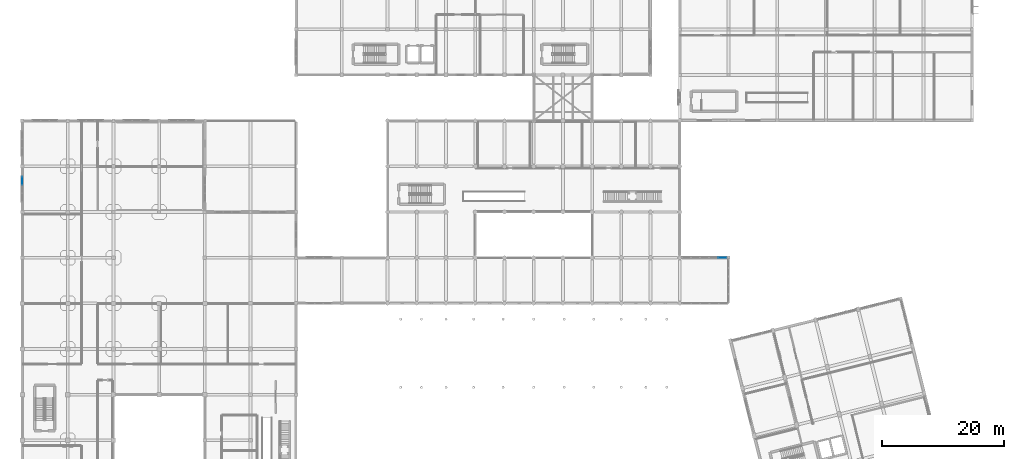
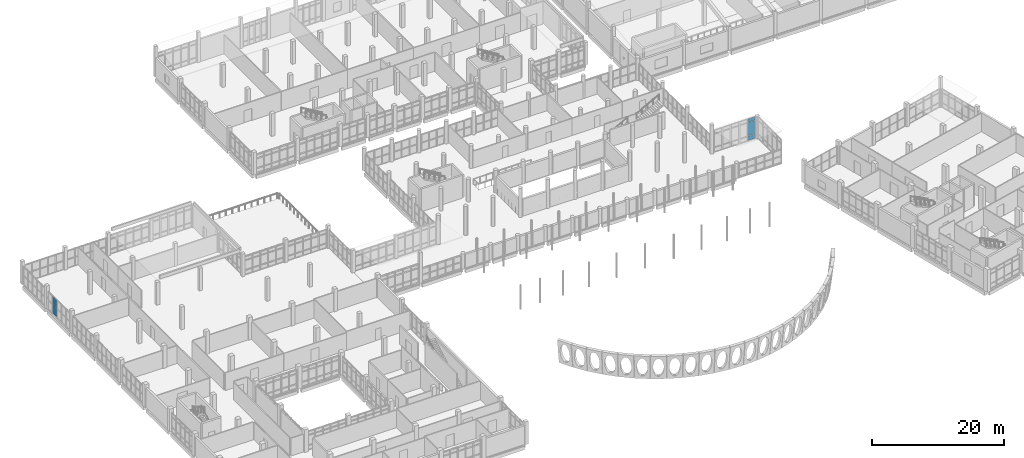
# One storey, part 128 of 164: 5 plates, 2 elements without a shape of their own.
"""IFC4 building model written with IfcOpenShell, lengths in metres."""

import ifcopenshell
import ifcopenshell.guid

model = None  # the IFC model being written
_history = None  # IfcOwnerHistory: only IFC2X3 demands one
_inside = {}  # id of a spatial element -> (the spatial element, [elements in it])
_under = {}  # id of a project, library or spatial element -> (it, [spatial elements below it])
_declared = {}  # id of a project -> (the project, [libraries it declares])
_typed = {}  # id of a type object -> (the type object, [elements of that type])
_made_of = {}  # id of a material, layer set ... -> (it, [elements and type objects made of it])


def new_model(schema):
    """Start an empty IFC model of exactly this schema.

    Asked for "IFC4X3", IfcOpenShell would pick the latest addendum, in which some entities
    have other attributes; the version numbers below select the first issue.
    IFC2X3 requires an IfcOwnerHistory on every rooted entity: one is made here for all.
    """
    global model, _history
    if schema == "IFC4X3":
        model = ifcopenshell.file(schema_version=(4, 3, 0, 0))
    else:
        model = ifcopenshell.file(schema=schema)
    _inside.clear()
    _under.clear()
    _declared.clear()
    _typed.clear()
    _made_of.clear()
    _history = None
    if model.schema == "IFC2X3":
        org = make("IfcOrganization", Name="unknown")
        user = make(
            "IfcPersonAndOrganization",
            ThePerson=make("IfcPerson", FamilyName="unknown"),
            TheOrganization=org,
        )
        app = make(
            "IfcApplication",
            ApplicationDeveloper=org,
            Version="unknown",
            ApplicationFullName="unknown",
            ApplicationIdentifier="unknown",
        )
        _history = make(
            "IfcOwnerHistory",
            OwningUser=user,
            OwningApplication=app,
            ChangeAction="ADDED",
            CreationDate=0,
        )
    return model


def make(cls, **values):
    """One entity of the class cls with the attributes given. An attribute that is None is left unset."""
    return model.create_entity(
        cls, **{name: value for name, value in values.items() if value is not None}
    )


def rooted(cls, **values):
    """An entity with a GlobalId (a new one), such as an element, a storey or a relation."""
    return make(cls, GlobalId=ifcopenshell.guid.new(), OwnerHistory=_history, **values)


def si_unit(unit_type, name, prefix=None):
    """IfcSIUnit, for example si_unit("LENGTHUNIT", "METRE", prefix="MILLI")."""
    return make("IfcSIUnit", UnitType=unit_type, Prefix=prefix, Name=name)


def assignment(units):
    """IfcUnitAssignment: the units of a project."""
    return None if units is None else make("IfcUnitAssignment", Units=units)


def point(xyz):
    """IfcCartesianPoint."""
    return None if xyz is None else make("IfcCartesianPoint", Coordinates=xyz)


def direction(xyz):
    """IfcDirection."""
    return None if xyz is None else make("IfcDirection", DirectionRatios=xyz)


def frame(location, z_axis=None, x_axis=None):
    """IfcAxis2Placement3D, a coordinate frame: its origin and axes. An axis left out is left unset."""
    return make(
        "IfcAxis2Placement3D",
        Location=point(location),
        Axis=direction(z_axis),
        RefDirection=direction(x_axis),
    )


def frame_2d(location, x_axis=None):
    """IfcAxis2Placement2D, a coordinate frame in the plane: its origin and x axis."""
    return make(
        "IfcAxis2Placement2D", Location=point(location), RefDirection=direction(x_axis)
    )


def origin():
    """The frame at (0, 0, 0) with its axes left unset."""
    return frame((0.0, 0.0, 0.0))


def origin_2d():
    """The frame at (0, 0) in the plane with its x axis left unset."""
    return frame_2d((0.0, 0.0))


def place(relative_to, where):
    """IfcLocalPlacement: puts the frame where relative to a parent placement (None: the world)."""
    return make(
        "IfcLocalPlacement", PlacementRelTo=relative_to, RelativePlacement=where
    )


def context(
    kind, dimensions, precision=None, world=None, true_north=None, identifier=None
):
    """IfcGeometricRepresentationContext, for example the 3D "Model" context."""
    return make(
        "IfcGeometricRepresentationContext",
        ContextIdentifier=identifier,
        ContextType=kind,
        CoordinateSpaceDimension=dimensions,
        Precision=precision,
        WorldCoordinateSystem=world,
        TrueNorth=true_north,
    )


def subcontext(parent, identifier, kind, view, scale=None):
    """IfcGeometricRepresentationSubContext, for example "Body" below "Model"."""
    return make(
        "IfcGeometricRepresentationSubContext",
        ContextIdentifier=identifier,
        ContextType=kind,
        ParentContext=parent,
        TargetScale=scale,
        TargetView=view,
    )


def project(units=None, contexts=None):
    """IfcProject with its units and contexts."""
    return rooted(
        "IfcProject",
        Name="project",
        RepresentationContexts=contexts,
        UnitsInContext=assignment(units),
    )


def spatial(cls, under=None, at=None, **own):
    """A site, building, storey or space (cls), placed at a placement, below another one or the project."""
    s = rooted(cls, ObjectPlacement=at, **own)
    if under is not None:
        _under.setdefault(under.id(), (under, []))[1].append(s)
    return s


def profile(cls, at=None, kind="AREA", **sizes):
    """A parametric profile (cls). Its sizes go by their IFC names, for example OverallWidth=200.0."""
    return make(cls, ProfileType=kind, Position=at, **sizes)


def rectangle(**sizes):
    """IfcRectangleProfileDef."""
    return profile("IfcRectangleProfileDef", **sizes)


def extrude(swept, where, along, depth):
    """IfcExtrudedAreaSolid: the profile swept, set in the frame where, extruded along a direction by depth."""
    return make(
        "IfcExtrudedAreaSolid",
        SweptArea=swept,
        Position=where,
        ExtrudedDirection=direction(along),
        Depth=depth,
    )


def shape(context_of_items, identifier, shape_type, items):
    """IfcShapeRepresentation: the items that make up one representation, for example the "Body"."""
    return make(
        "IfcShapeRepresentation",
        ContextOfItems=context_of_items,
        RepresentationIdentifier=identifier,
        RepresentationType=shape_type,
        Items=items,
    )


def material(Name=None, Category=None):
    """IfcMaterial."""
    return make("IfcMaterial", Name=Name, Category=Category)


def layer(
    of_material, thickness, ventilated=None, Name=None, Category=None, Priority=None
):
    """IfcMaterialLayer: one layer of a wall or slab, of a material (None: an air gap)."""
    return make(
        "IfcMaterialLayer",
        Material=of_material,
        LayerThickness=thickness,
        IsVentilated=ventilated,
        Name=Name,
        Category=Category,
        Priority=Priority,
    )


def layer_set(layers, Name=None):
    """IfcMaterialLayerSet."""
    return make("IfcMaterialLayerSet", MaterialLayers=layers, LayerSetName=Name)


def made_of(thing, what):
    """Note that an element or type object is made of a material, layer set ...; save() writes the relation."""
    if what is not None:
        _made_of.setdefault(what.id(), (what, []))[1].append(thing)
    return thing


def type_object(cls, material=None, **own):
    """A type object (cls), such as IfcWallType, which elements share."""
    return made_of(rooted(cls, **own), material)


def element(
    cls,
    number,
    at=None,
    inside=None,
    cuts=None,
    type_object=None,
    material=None,
    context=None,
    identifier="Body",
    shape_type=None,
    held_by="IfcProductDefinitionShape",
    body=None,
    shapes=None,
    **own,
):
    """One element of the class cls, such as IfcWall. Its Tag is "e" and its number.

    at: its placement. inside: the storey or other place that contains it. cuts: it is an
    opening in that element (IfcRelVoidsElement). A single representation is given by context,
    identifier, shape_type and body (its items); several are given by shapes. held_by: the class
    of the entity that holds the representations. save() writes the other relations.
    """
    e = rooted(cls, Tag="e%d" % number, ObjectPlacement=at, **own)
    if body is not None:
        shapes = [shape(context, identifier, shape_type, body)]
    if shapes is not None:
        e.Representation = make(held_by, Representations=shapes)
    if inside is not None:
        _inside.setdefault(inside.id(), (inside, []))[1].append(e)
    if cuts is not None:
        rooted(
            "IfcRelVoidsElement", RelatingBuildingElement=cuts, RelatedOpeningElement=e
        )
    if type_object is not None:
        _typed.setdefault(type_object.id(), (type_object, []))[1].append(e)
    return made_of(e, material)


def aggregate(whole, parts):
    """IfcRelAggregates: a whole, such as a stair, and the parts it consists of."""
    return rooted("IfcRelAggregates", RelatingObject=whole, RelatedObjects=parts)


def save(model, path):
    """Write the relations noted so far, then the file.

    IfcRelAggregates (storeys below a building ...), IfcRelContainedInSpatialStructure (elements
    in a storey), IfcRelDefinesByType, IfcRelAssociatesMaterial and IfcRelDeclares: one each for
    every whole, place, type object, material and project.
    """
    for whole, parts in _under.values():
        aggregate(whole, parts)
    for where, things in _inside.values():
        rooted(
            "IfcRelContainedInSpatialStructure",
            RelatedElements=things,
            RelatingStructure=where,
        )
    for kind, things in _typed.values():
        rooted("IfcRelDefinesByType", RelatedObjects=things, RelatingType=kind)
    for what, things in _made_of.values():
        rooted("IfcRelAssociatesMaterial", RelatedObjects=things, RelatingMaterial=what)
    for by, libraries in _declared.values():
        rooted("IfcRelDeclares", RelatingContext=by, RelatedDefinitions=libraries)
    model.write(path)


model = new_model("IFC4")

# Units and contexts
model_context = context("Model", 3, precision=1e-05, world=origin(), true_north=direction((0.0, 1.0)))
body_context = subcontext(model_context, "Body", "Model", "MODEL_VIEW")
ifc_project = project(units=[si_unit("LENGTHUNIT", "METRE"), si_unit("AREAUNIT", "SQUARE_METRE"), si_unit("VOLUMEUNIT", "CUBIC_METRE"), si_unit("PLANEANGLEUNIT", "RADIAN"), si_unit("MASSUNIT", "GRAM", prefix="KILO")], contexts=[model_context])

# Site, building, storey
site_placement = place(None, origin())
site = spatial("IfcSite", under=ifc_project, at=site_placement, CompositionType="ELEMENT")
building_placement = place(site_placement, origin())
building = spatial("IfcBuilding", under=site, at=building_placement, Name="Mawjan Specialist Oncology Clinic", CompositionType="ELEMENT")
storey_placement = place(building_placement, frame((0.0, 0.0, 5.0)))
storey = spatial("IfcBuildingStorey", under=building, at=storey_placement, Name="L01", CompositionType="ELEMENT", Elevation=5.0)

# Curtain wall, plates
ifc_material_1 = material(Name="Unitised spectrally selective aluminium curtain wall", Category="aluminium")
ifc_layer_1 = layer(ifc_material_1, 0.179931640625, Name="Unitised spectrally selective aluminium curtain wall", Category="aluminium")
ifc_layer_set_1 = layer_set([ifc_layer_1], Name="Unitised spectrally selective aluminium curtain wall")
curtain_wall_type_1 = type_object("IfcCurtainWallType", Name="CW-67", PredefinedType="NOTDEFINED", material=ifc_layer_set_1)
curtain_wall_1_placement = place(storey_placement, origin())
curtain_wall_1 = element("IfcCurtainWall", 1, at=curtain_wall_1_placement, inside=storey, type_object=curtain_wall_type_1, Name="L01 Unitised Curtain Wall CW-L01-135", PredefinedType="NOTDEFINED")
ifc_material_2 = material(Name="Spectrally selective double low-E glazing", Category="glass")
ifc_layer_2 = layer(ifc_material_2, 0.031982421875, Name="Spectrally selective double low-E glazing", Category="glass")
ifc_layer_set_2 = layer_set([ifc_layer_2], Name="Spectrally selective double low-E glazing")
plate_type = type_object("IfcPlateType", Name="CW-P32", PredefinedType="CURTAIN_PANEL", material=ifc_layer_set_2)
plate_1_placement = place(storey_placement, frame((114.97412109375, 53.300048828125, 0.070068359375), z_axis=(0.0, 0.0, 1.0), x_axis=(1.0, 0.0, 0.0)))
plate_1 = element("IfcPlate", 2, at=plate_1_placement, type_object=plate_type, Name="CW-67 panel 5.1", PredefinedType="CURTAIN_PANEL", context=body_context, shape_type="SweptSolid", body=[
    extrude(rectangle(XDim=1.3720703125, YDim=0.031982421875, at=origin_2d()), origin(), (0.0, 0.0, 1.0), 0.794921875),
])
plate_2_placement = place(storey_placement, frame((114.97412109375, 53.300048828125, 0.93505859375), z_axis=(0.0, 0.0, 1.0), x_axis=(1.0, 0.0, 0.0)))
plate_2 = element("IfcPlate", 3, at=plate_2_placement, type_object=plate_type, Name="CW-67 panel 5.2", PredefinedType="CURTAIN_PANEL", context=body_context, shape_type="SweptSolid", body=[
    extrude(rectangle(XDim=1.3720703125, YDim=0.031982421875, at=origin_2d()), origin(), (0.0, 0.0, 1.0), 2.449951171875),
])
plate_3_placement = place(storey_placement, frame((114.97412109375, 53.300048828125, 3.455078125), z_axis=(0.0, 0.0, 1.0), x_axis=(1.0, 0.0, 0.0)))
plate_3 = element("IfcPlate", 4, at=plate_3_placement, type_object=plate_type, Name="CW-67 panel 5.3", PredefinedType="CURTAIN_PANEL", context=body_context, shape_type="SweptSolid", body=[
    extrude(rectangle(XDim=1.3720703125, YDim=0.031982421875, at=origin_2d()), origin(), (0.0, 0.0, 1.0), 0.64501953125),
])
aggregate(curtain_wall_1, [plate_1, plate_2, plate_3])

ifc_material_3 = material(Name="Unitised spectrally selective aluminium curtain wall", Category="aluminium")
ifc_layer_3 = layer(ifc_material_3, 0.179931640625, Name="Unitised spectrally selective aluminium curtain wall", Category="aluminium")
ifc_layer_set_3 = layer_set([ifc_layer_3], Name="Unitised spectrally selective aluminium curtain wall")
curtain_wall_type_2 = type_object("IfcCurtainWallType", Name="CW-77", PredefinedType="NOTDEFINED", material=ifc_layer_set_3)
curtain_wall_2_placement = place(storey_placement, origin())
curtain_wall_2 = element("IfcCurtainWall", 5, at=curtain_wall_2_placement, inside=storey, type_object=curtain_wall_type_2, Name="L01 Unitised Curtain Wall CW-L01-150", PredefinedType="NOTDEFINED")
plate_4_placement = place(storey_placement, frame((0.0, 65.931884765625, 0.06494140625), z_axis=(0.0, 0.0, 1.0), x_axis=(0.0, 1.0, 0.0)))
plate_4 = element("IfcPlate", 6, at=plate_4_placement, type_object=plate_type, Name="CW-77 panel 4.1", PredefinedType="CURTAIN_PANEL", context=body_context, shape_type="SweptSolid", body=[
    extrude(rectangle(XDim=1.31689453125, YDim=0.031982421875, at=origin_2d()), origin(), (0.0, 0.0, 1.0), 1.534912109375),
])
plate_5_placement = place(storey_placement, frame((0.0, 65.931884765625, 1.6650390625), z_axis=(0.0, 0.0, 1.0), x_axis=(0.0, 1.0, 0.0)))
plate_5 = element("IfcPlate", 7, at=plate_5_placement, type_object=plate_type, Name="CW-77 panel 4.2", PredefinedType="CURTAIN_PANEL", context=body_context, shape_type="SweptSolid", body=[
    extrude(rectangle(XDim=1.31689453125, YDim=0.031982421875, at=origin_2d()), origin(), (0.0, 0.0, 1.0), 1.534912109375),
])
aggregate(curtain_wall_2, [plate_4, plate_5])

save(model, "model.ifc")
